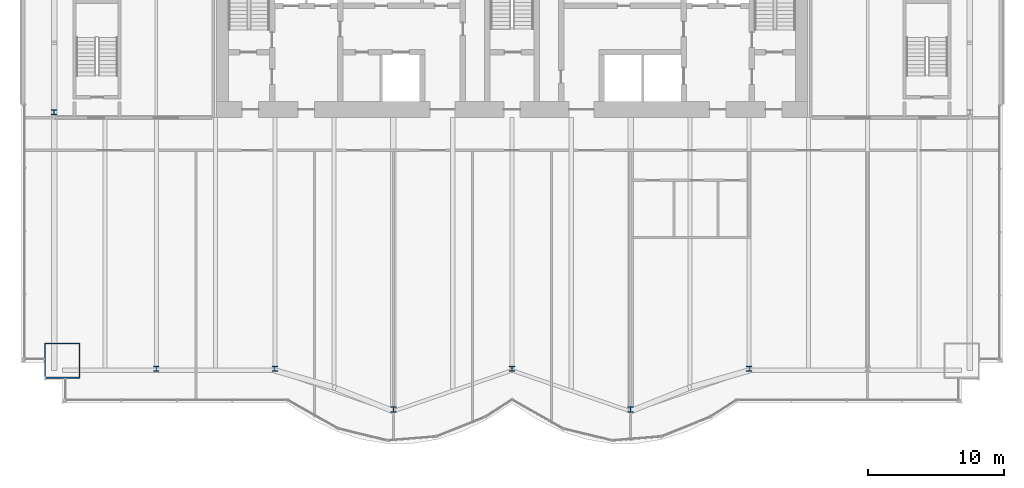
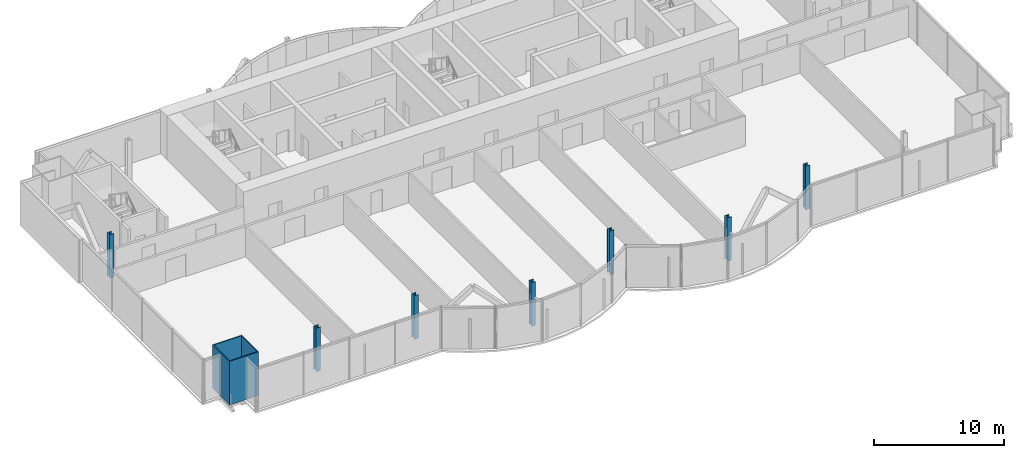
# One storey, part 1 of 20: 8 columns.
"""IFC4 building model written with IfcOpenShell, lengths in metres."""

from ifc_helpers import new_model, si_unit, direction, frame, origin, origin_2d, place, context, subcontext, project, spatial, hollow_rectangle, i_section, extrude, material, material_profile, profile_set, type_object, element, save


model = new_model("IFC4")

# Units and contexts
model_context = context("Model", 3, precision=1e-05, world=origin(), true_north=direction((0.0, 1.0)))
body_context = subcontext(model_context, "Body", "Model", "MODEL_VIEW")
ifc_project = project(units=[si_unit("LENGTHUNIT", "METRE"), si_unit("AREAUNIT", "SQUARE_METRE"), si_unit("VOLUMEUNIT", "CUBIC_METRE"), si_unit("PLANEANGLEUNIT", "RADIAN"), si_unit("MASSUNIT", "GRAM", prefix="KILO")], contexts=[model_context])

# Site, building, storey
site_placement = place(None, origin())
site = spatial("IfcSite", under=ifc_project, at=site_placement, CompositionType="ELEMENT")
building_placement = place(site_placement, origin())
building = spatial("IfcBuilding", under=site, at=building_placement, Name="Bicima Exchange Tower", CompositionType="ELEMENT")
storey_placement = place(building_placement, frame((0.0, 0.0, 177.300048828125)))
storey = spatial("IfcBuildingStorey", under=building, at=storey_placement, Name="L39", CompositionType="ELEMENT", Elevation=177.300048828125)

# Columns
ifc_material_1 = material(Name="Steel ASTM A572 Gr 50", Category="steel")
ifc_material_profile_1 = material_profile(ifc_material_1, hollow_rectangle(XDim=2.60009765625, YDim=2.60009765625, WallThickness=0.080078125, at=origin_2d()))
ifc_profile_set_1 = profile_set([ifc_material_profile_1], Name="Steel ASTM A572 Gr 50")
column_type_1 = type_object("IfcColumnType", Name="Mega column BOX 2600x2600x80", PredefinedType="COLUMN", material=ifc_profile_set_1)
column_placement = place(storey_placement, frame((-33.0, -30.825927734375, 0.0), z_axis=(0.0, 0.0, 1.0), x_axis=(1.0, 0.0, 0.0)))
element("IfcColumn", 1, at=column_placement, inside=storey, type_object=column_type_1, Name="Mega column mega-33.0f", PredefinedType="COLUMN", context=body_context, shape_type="SweptSolid", body=[
    extrude(hollow_rectangle(XDim=2.60009765625, YDim=2.60009765625, WallThickness=0.080078125, at=origin_2d()), origin(), (0.0, 0.0, 1.0), 4.099853515625),
])
ifc_material_2 = material(Name="Steel ASTM A992 Gr 50", Category="steel")
ifc_material_profile_2 = material_profile(ifc_material_2, i_section(OverallWidth=0.396240234375, OverallDepth=0.381103515625, WebThickness=0.01904296875, FlangeThickness=0.0302734375, at=origin_2d()))
ifc_profile_set_2 = profile_set([ifc_material_profile_2], Name="Steel ASTM A992 Gr 50")
column_type_2 = type_object("IfcColumnType", Name="Perimeter column W14x159", PredefinedType="COLUMN", material=ifc_profile_set_2)
for number, where, z_axis, x_axis, name in (
    (2, (-26.10009765625, -31.426025390625, 0.0), (0.0, 0.0, 1.0), (1.0, 0.0, 0.0), "Perimeter column grav-26.1f"),
    (3, (-17.39990234375, -31.426025390625, 0.0), (0.0, 0.0, 1.0), (1.0, 0.0, 0.0), "Perimeter column grav-17.4f"),
    (4, (-8.699951171875, -34.4169921875, 0.0), (0.0, 0.0, 1.0), (1.0, 0.0, 0.0), "Perimeter column grav-8.7f"),
    (5, (0.0, -31.426025390625, 0.0), (0.0, 0.0, 1.0), (1.0, 0.0, 0.0), "Perimeter column grav-0.0f"),
    (6, (8.699951171875, -34.4169921875, 0.0), (0.0, 0.0, 1.0), (1.0, 0.0, 0.0), "Perimeter column grav+8.7f"),
    (7, (17.39990234375, -31.426025390625, 0.0), (0.0, 0.0, 1.0), (1.0, 0.0, 0.0), "Perimeter column grav+17.4f"),
    (8, (-33.60009765625, -12.60009765625, 0.0), (0.0, 0.0, 1.0), (1.0, 0.0, 0.0), "End column end-33.6e"),
):
    element("IfcColumn", number, at=place(storey_placement, frame(where, z_axis=z_axis, x_axis=x_axis)), inside=storey, type_object=column_type_2, Name=name, PredefinedType="COLUMN", context=body_context, shape_type="SweptSolid", body=[
        extrude(i_section(OverallWidth=0.396240234375, OverallDepth=0.381103515625, WebThickness=0.01904296875, FlangeThickness=0.0302734375, at=origin_2d()), origin(), (0.0, 0.0, 1.0), 4.099853515625),
    ])

save(model, "model.ifc")
